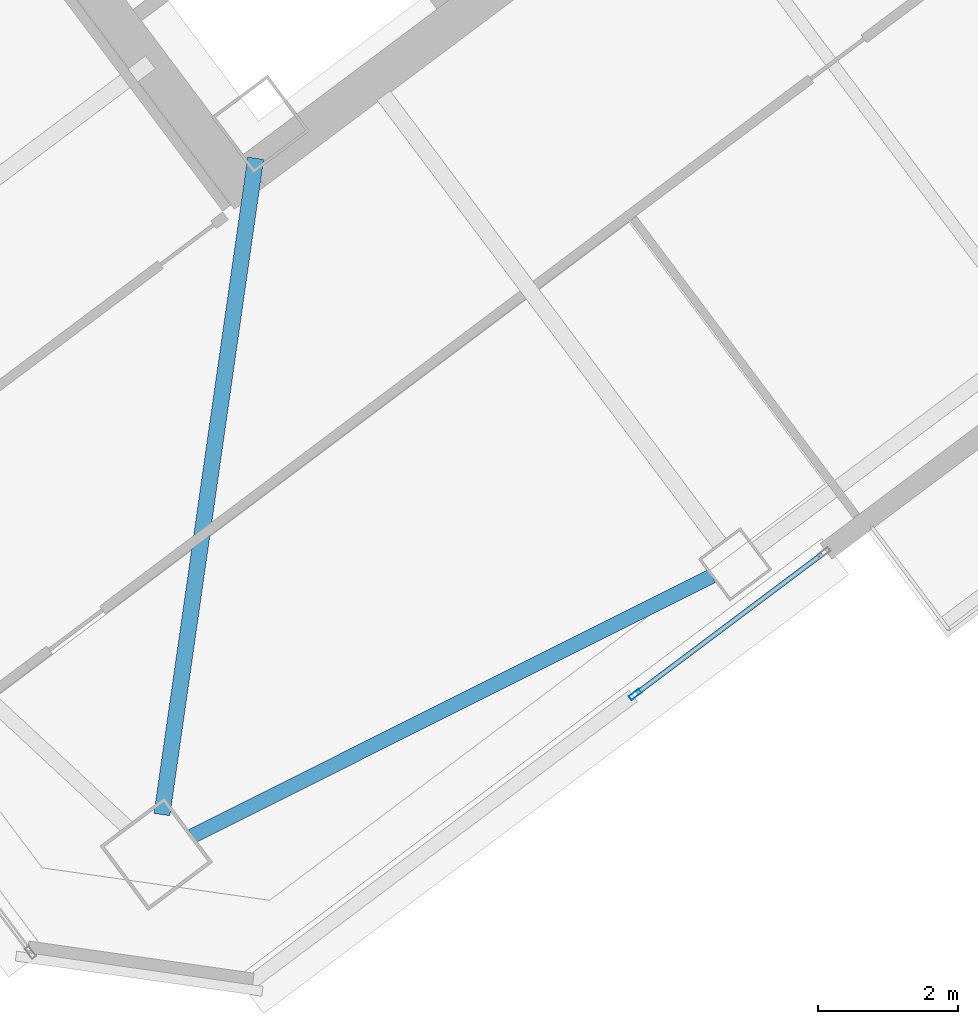
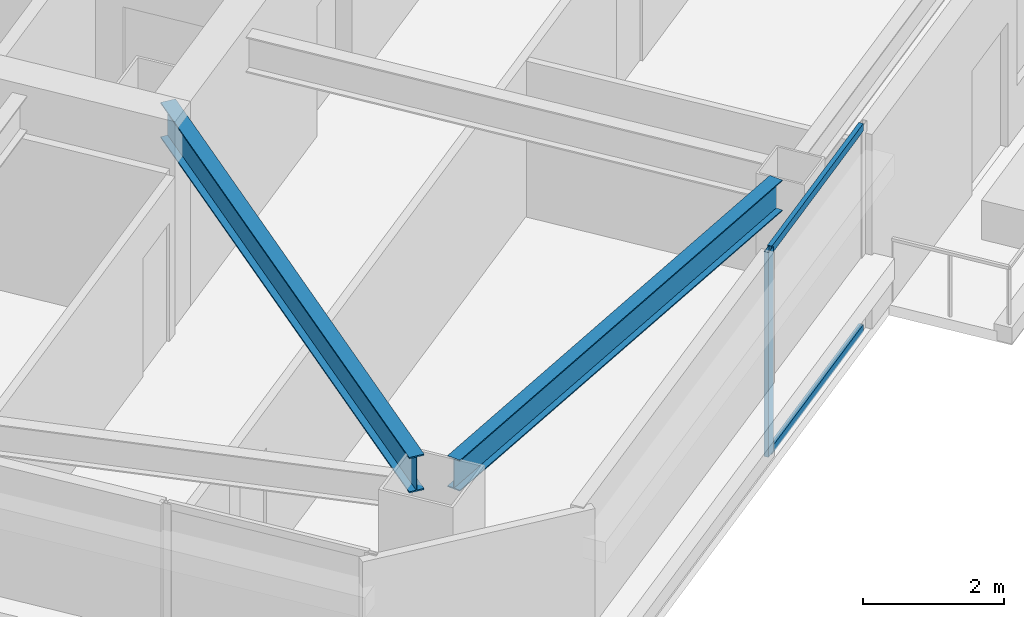
# One storey, part 20 of 46: 3 members, 2 beams, 1 element without a shape of its own.
"""IFC4 building model written with IfcOpenShell, lengths in metres."""

from ifc_helpers import new_model, si_unit, direction, frame, origin, origin_2d, place, context, subcontext, project, spatial, hollow_rectangle, i_section, extrude, material, material_profile, profile_set, type_object, element, aggregate, save


model = new_model("IFC4")

# Units and contexts
model_context = context("Model", 3, precision=1e-05, world=origin(), true_north=direction((0.0, 1.0)))
body_context = subcontext(model_context, "Body", "Model", "MODEL_VIEW")
ifc_project = project(units=[si_unit("LENGTHUNIT", "METRE"), si_unit("AREAUNIT", "SQUARE_METRE"), si_unit("VOLUMEUNIT", "CUBIC_METRE"), si_unit("PLANEANGLEUNIT", "RADIAN"), si_unit("MASSUNIT", "GRAM", prefix="KILO")], contexts=[model_context])

# Site, building, storey
site_placement = place(None, origin())
site = spatial("IfcSite", under=ifc_project, at=site_placement, CompositionType="ELEMENT")
building_placement = place(site_placement, origin())
building = spatial("IfcBuilding", under=site, at=building_placement, Name="Tashvorn Skyway Center", CompositionType="ELEMENT")
storey_placement = place(building_placement, frame((0.0, 0.0, 167.64990234375)))
storey = spatial("IfcBuildingStorey", under=building, at=storey_placement, Name="L45", CompositionType="ELEMENT", Elevation=167.64990234375)

# Beams
ifc_material_1 = material(Name="Steel ASTM A992 Grade 50", Category="steel")
ifc_material_profile_1 = material_profile(ifc_material_1, i_section(OverallWidth=0.22998046875, OverallDepth=0.616943359375, WebThickness=0.01318359375, FlangeThickness=0.022216796875, at=origin_2d()), Name="W24X94")
ifc_profile_set_1 = profile_set([ifc_material_profile_1], Name="Steel ASTM A992 Grade 50")
beam_type_1 = type_object("IfcBeamType", Name="BM-BEAM-W24X94", PredefinedType="BEAM", material=ifc_profile_set_1)
beam_1_placement = place(storey_placement, frame((111.1806640625, 12.26416015625, 3.0615234375), z_axis=(0.141417747326, 0.989950009213, 0.0), x_axis=(-0.989950009213, 0.141417747326, 0.0)))
element("IfcBeam", 1, at=beam_1_placement, inside=storey, type_object=beam_type_1, Name="Tower 2 L45 Primary Floor Girder MC-SW", PredefinedType="BEAM", context=body_context, shape_type="SweptSolid", body=[
    extrude(i_section(OverallWidth=0.22998046875, OverallDepth=0.616943359375, WebThickness=0.01318359375, FlangeThickness=0.022216796875, at=origin_2d()), origin(), (0.0, 0.0, 1.0), 9.470947265625),
])
ifc_material_profile_2 = material_profile(ifc_material_1, i_section(OverallWidth=0.2109375, OverallDepth=0.5390625, WebThickness=0.01171875, FlangeThickness=0.018798828125, at=origin_2d()), Name="W21X73")
ifc_profile_set_2 = profile_set([ifc_material_profile_2], Name="Steel ASTM A992 Grade 50")
beam_type_2 = type_object("IfcBeamType", Name="BM-SPANDREL-W21X73", PredefinedType="SPANDREL", material=ifc_profile_set_2)
beam_2_placement = place(storey_placement, frame((111.609619140625, 11.955078125, 3.1005859375), z_axis=(0.894209637559, 0.447648438059, 0.0), x_axis=(-0.447648438059, 0.894209637559, 0.0)))
element("IfcBeam", 2, at=beam_2_placement, inside=storey, type_object=beam_type_2, Name="Tower 2 L45 Spandrel Beam 01", PredefinedType="SPANDREL", context=body_context, shape_type="SweptSolid", body=[
    extrude(i_section(OverallWidth=0.2109375, OverallDepth=0.5390625, WebThickness=0.01171875, FlangeThickness=0.018798828125, at=origin_2d()), origin(), (0.0, 0.0, 1.0), 8.308349609375),
])

# Curtain wall, members
ifc_material_2 = material(Name="Thermally broken bronze-anodized aluminium 6063-T6", Category="aluminium")
curtain_wall_type = type_object("IfcCurtainWallType", Name="CW-CW-Z4", PredefinedType="NOTDEFINED", material=ifc_material_2)
curtain_wall_placement = place(storey_placement, origin())
curtain_wall = element("IfcCurtainWall", 3, at=curtain_wall_placement, inside=storey, type_object=curtain_wall_type, Name="Tower 2 L45 South Curtain Wall R Glazing Group 1", PredefinedType="NOTDEFINED")
ifc_material_profile_3 = material_profile(ifc_material_2, hollow_rectangle(XDim=0.070068359375, YDim=0.179931640625, WallThickness=0.00390625, at=origin_2d()), Name="ALU-MULL-70x180")
ifc_profile_set_3 = profile_set([ifc_material_profile_3], Name="Thermally broken bronze-anodized aluminium 6063-T6")
member_type_1 = type_object("IfcMemberType", Name="CWM-CW-Z4", PredefinedType="MULLION", material=ifc_profile_set_3)
member_1_placement = place(storey_placement, frame((117.94140625, 13.98095703125, 0.0), z_axis=(0.0, 0.0, 1.0), x_axis=(0.599995353367, -0.800003484954, 0.0)))
member_1 = element("IfcMember", 4, at=member_1_placement, type_object=member_type_1, Name="CW-Z4 mullion 2", PredefinedType="MULLION", context=body_context, shape_type="SweptSolid", body=[
    extrude(hollow_rectangle(XDim=0.070068359375, YDim=0.179931640625, WallThickness=0.00390625, at=origin_2d()), origin(), (0.0, 0.0, 1.0), 3.550048828125),
])
ifc_material_profile_4 = material_profile(ifc_material_2, hollow_rectangle(XDim=0.070068359375, YDim=0.1298828125, WallThickness=0.00390625, at=origin_2d()), Name="ALU-TRAN-70x130")
ifc_profile_set_4 = profile_set([ifc_material_profile_4], Name="Thermally broken bronze-anodized aluminium 6063-T6")
member_type_2 = type_object("IfcMemberType", Name="CWT-CW-Z4", PredefinedType="USERDEFINED", material=ifc_profile_set_4)
member_2_placement = place(storey_placement, frame((120.612060546875, 15.98388671875, 0.03515625), z_axis=(-0.800026605179, -0.599964524789, 0.0), x_axis=(0.599964524789, -0.800026605179, 0.0)))
member_2 = element("IfcMember", 5, at=member_2_placement, type_object=member_type_2, Name="CW-Z4 transom 1.1", ObjectType="TRANSOM", PredefinedType="USERDEFINED", context=body_context, shape_type="SweptSolid", body=[
    extrude(hollow_rectangle(XDim=0.070068359375, YDim=0.1298828125, WallThickness=0.00390625, at=origin_2d()), origin(), (0.0, 0.0, 1.0), 3.303466796875),
])
member_3_placement = place(storey_placement, frame((120.612060546875, 15.98388671875, 3.51513671875), z_axis=(-0.800026605179, -0.599964524789, 0.0), x_axis=(0.599964524789, -0.800026605179, 0.0)))
member_3 = element("IfcMember", 6, at=member_3_placement, type_object=member_type_2, Name="CW-Z4 transom 1.2", ObjectType="TRANSOM", PredefinedType="USERDEFINED", context=body_context, shape_type="SweptSolid", body=[
    extrude(hollow_rectangle(XDim=0.070068359375, YDim=0.1298828125, WallThickness=0.00390625, at=origin_2d()), origin(), (0.0, 0.0, 1.0), 3.303466796875),
])
aggregate(curtain_wall, [member_1, member_2, member_3])

save(model, "model.ifc")
